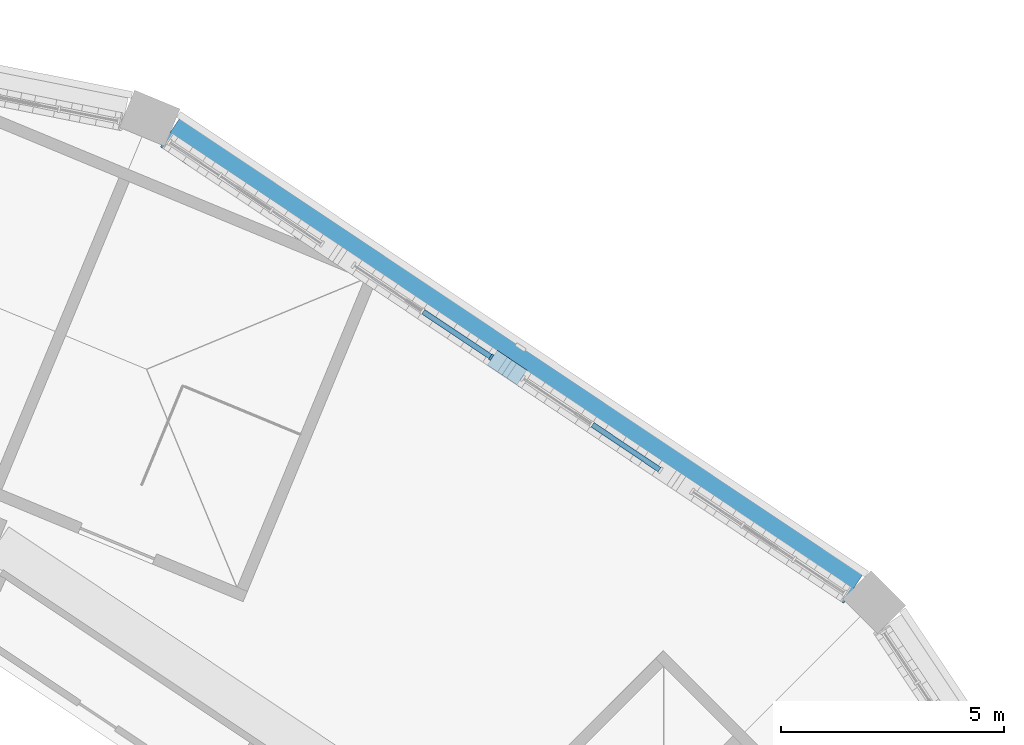
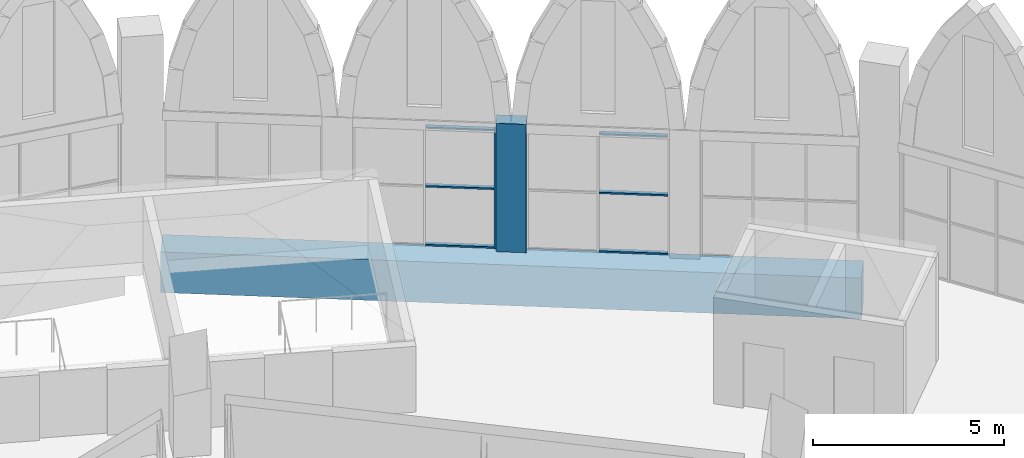
# One storey, part 47 of 130: 8 members, 1 beam, 2 elements without a shape of their own.
"""IFC4 building model written with IfcOpenShell, lengths in metres."""

from ifc_helpers import new_model, si_unit, direction, frame, origin, origin_2d, place, context, subcontext, project, spatial, rectangle, extrude, material, material_profile, profile_set, type_object, element, aggregate, save


model = new_model("IFC4")

# Units and contexts
model_context = context("Model", 3, precision=1e-05, world=origin(), true_north=direction((0.0, 1.0)))
body_context = subcontext(model_context, "Body", "Model", "MODEL_VIEW")
ifc_project = project(units=[si_unit("LENGTHUNIT", "METRE"), si_unit("AREAUNIT", "SQUARE_METRE"), si_unit("VOLUMEUNIT", "CUBIC_METRE"), si_unit("PLANEANGLEUNIT", "RADIAN"), si_unit("MASSUNIT", "GRAM", prefix="KILO")], contexts=[model_context])

# Site, building, storey
site_placement = place(None, origin())
site = spatial("IfcSite", under=ifc_project, at=site_placement, CompositionType="ELEMENT")
building_placement = place(site_placement, origin())
building = spatial("IfcBuilding", under=site, at=building_placement, Name="Ogive Plaza Stadium", CompositionType="ELEMENT")
storey_placement = place(building_placement, frame((0.0, 0.0, 22.5)))
storey = spatial("IfcBuildingStorey", under=building, at=storey_placement, Name="L05", CompositionType="ELEMENT", Elevation=22.5)

# Curtain wall, members
ifc_material_1 = material(Name="Bronze-anodised aluminium with laminated glass", Category="aluminium")
curtain_wall_type = type_object("IfcCurtainWallType", Name="Lancet curtain wall", PredefinedType="NOTDEFINED", material=ifc_material_1)
curtain_wall_1_placement = place(storey_placement, origin())
curtain_wall_1 = element("IfcCurtainWall", 1, at=curtain_wall_1_placement, inside=storey, type_object=curtain_wall_type, Name="CURTAIN WALL B38 L05", PredefinedType="NOTDEFINED")
ifc_material_2 = material(Name="Bronze-anodised aluminium", Category="aluminium")
ifc_material_profile_1 = material_profile(ifc_material_2, rectangle(XDim=0.14990234375, YDim=0.050048828125, at=origin_2d()), Name="AL 150x50")
ifc_profile_set_1 = profile_set([ifc_material_profile_1], Name="Bronze-anodised aluminium")
member_type_1 = type_object("IfcMemberType", Name="Curtain wall mullion 50x150", PredefinedType="MULLION", material=ifc_profile_set_1)
member_1_placement = place(storey_placement, frame((60.7802734375, 93.344482421875, 0.0), z_axis=(0.0, 0.0, 1.0), x_axis=(0.555570233237, 0.831469612157, 0.0)))
member_1 = element("IfcMember", 2, at=member_1_placement, type_object=member_type_1, Name="CW-B38-L05.2 mullion 3", PredefinedType="MULLION", context=body_context, shape_type="SweptSolid", body=[
    extrude(rectangle(XDim=0.14990234375, YDim=0.050048828125, at=origin_2d()), origin(), (0.0, 0.0, 1.0), 3.800048828125),
])
ifc_material_3 = material(Name="Bronze-anodised aluminium", Category="aluminium")
ifc_material_profile_2 = material_profile(ifc_material_3, rectangle(XDim=0.1201171875, YDim=0.050048828125, at=origin_2d()), Name="AL 120x50")
ifc_profile_set_2 = profile_set([ifc_material_profile_2], Name="Bronze-anodised aluminium")
member_type_2 = type_object("IfcMemberType", Name="Curtain wall transom 50x120", PredefinedType="USERDEFINED", material=ifc_profile_set_2)
member_2_placement = place(storey_placement, frame((59.260009765625, 94.3603515625, 0.02490234375), z_axis=(0.831466685303, -0.555574613559, 0.0), x_axis=(0.555574613559, 0.831466685303, 0.0)))
member_2 = element("IfcMember", 3, at=member_2_placement, type_object=member_type_2, Name="CW-B38-L05.2 transom 2.1", ObjectType="TRANSOM", PredefinedType="USERDEFINED", context=body_context, shape_type="SweptSolid", body=[
    extrude(rectangle(XDim=0.1201171875, YDim=0.050048828125, at=origin_2d()), origin(), (0.0, 0.0, 1.0), 1.803466796875),
])
member_3_placement = place(storey_placement, frame((59.260009765625, 94.3603515625, 1.89990234375), z_axis=(0.831466685303, -0.555574613559, 0.0), x_axis=(0.555574613559, 0.831466685303, 0.0)))
member_3 = element("IfcMember", 4, at=member_3_placement, type_object=member_type_2, Name="CW-B38-L05.2 transom 2.2", ObjectType="TRANSOM", PredefinedType="USERDEFINED", context=body_context, shape_type="SweptSolid", body=[
    extrude(rectangle(XDim=0.1201171875, YDim=0.050048828125, at=origin_2d()), origin(), (0.0, 0.0, 1.0), 1.803466796875),
])
member_4_placement = place(storey_placement, frame((59.260009765625, 94.3603515625, 3.77490234375), z_axis=(0.831466685303, -0.555574613559, 0.0), x_axis=(0.555574613559, 0.831466685303, 0.0)))
member_4 = element("IfcMember", 5, at=member_4_placement, type_object=member_type_2, Name="CW-B38-L05.2 transom 2.3", ObjectType="TRANSOM", PredefinedType="USERDEFINED", context=body_context, shape_type="SweptSolid", body=[
    extrude(rectangle(XDim=0.1201171875, YDim=0.050048828125, at=origin_2d()), origin(), (0.0, 0.0, 1.0), 1.803466796875),
])
aggregate(curtain_wall_1, [member_1, member_2, member_3, member_4])

curtain_wall_2_placement = place(storey_placement, origin())
curtain_wall_2 = element("IfcCurtainWall", 6, at=curtain_wall_2_placement, inside=storey, type_object=curtain_wall_type, Name="CURTAIN WALL B38 L05", PredefinedType="NOTDEFINED")
member_5_placement = place(storey_placement, frame((63.049072265625, 91.82861328125, 0.02490234375), z_axis=(0.831466685303, -0.555574613559, 0.0), x_axis=(0.555574613559, 0.831466685303, 0.0)))
member_5 = element("IfcMember", 7, at=member_5_placement, type_object=member_type_2, Name="CW-B38-L05.3 transom 2.1", ObjectType="TRANSOM", PredefinedType="USERDEFINED", context=body_context, shape_type="SweptSolid", body=[
    extrude(rectangle(XDim=0.1201171875, YDim=0.050048828125, at=origin_2d()), origin(), (0.0, 0.0, 1.0), 1.803466796875),
])
member_6_placement = place(storey_placement, frame((63.049072265625, 91.82861328125, 1.89990234375), z_axis=(0.831466685303, -0.555574613559, 0.0), x_axis=(0.555574613559, 0.831466685303, 0.0)))
member_6 = element("IfcMember", 8, at=member_6_placement, type_object=member_type_2, Name="CW-B38-L05.3 transom 2.2", ObjectType="TRANSOM", PredefinedType="USERDEFINED", context=body_context, shape_type="SweptSolid", body=[
    extrude(rectangle(XDim=0.1201171875, YDim=0.050048828125, at=origin_2d()), origin(), (0.0, 0.0, 1.0), 1.803466796875),
])
member_7_placement = place(storey_placement, frame((63.049072265625, 91.82861328125, 3.77490234375), z_axis=(0.831466685303, -0.555574613559, 0.0), x_axis=(0.555574613559, 0.831466685303, 0.0)))
member_7 = element("IfcMember", 9, at=member_7_placement, type_object=member_type_2, Name="CW-B38-L05.3 transom 2.3", ObjectType="TRANSOM", PredefinedType="USERDEFINED", context=body_context, shape_type="SweptSolid", body=[
    extrude(rectangle(XDim=0.1201171875, YDim=0.050048828125, at=origin_2d()), origin(), (0.0, 0.0, 1.0), 1.803466796875),
])
aggregate(curtain_wall_2, [member_5, member_6, member_7])

# Member
ifc_material_4 = material(Name="Concrete C45/55 precast", Category="concrete")
ifc_material_profile_3 = material_profile(ifc_material_4, rectangle(XDim=0.39990234375, YDim=0.800048828125, at=origin_2d()), Name="RC 400x800")
ifc_profile_set_3 = profile_set([ifc_material_profile_3], Name="Concrete C45/55 precast")
member_type_3 = type_object("IfcMemberType", Name="Precast colonette 800x400", PredefinedType="POST", material=ifc_profile_set_3)
member_8_placement = place(storey_placement, frame((61.133544921875, 93.1083984375, 0.0), z_axis=(0.0, 0.0, 1.0), x_axis=(0.55557023302, 0.831469612303, 0.0)))
element("IfcMember", 10, at=member_8_placement, inside=storey, type_object=member_type_3, Name="COLONETTE B38 2", PredefinedType="POST", context=body_context, shape_type="SweptSolid", body=[
    extrude(rectangle(XDim=0.39990234375, YDim=0.800048828125, at=origin_2d()), origin(), (0.0, 0.0, 1.0), 4.10009765625),
])

# Beam
ifc_material_5 = material(Name="Concrete C40/50", Category="concrete")
ifc_material_profile_4 = material_profile(ifc_material_5, rectangle(XDim=0.800048828125, YDim=1.300048828125, at=origin_2d()), Name="RC 800x1300")
ifc_profile_set_4 = profile_set([ifc_material_profile_4], Name="Concrete C40/50")
beam_type = type_object("IfcBeamType", Name="RC spandrel beam 800x1300", PredefinedType="SPANDREL", material=ifc_profile_set_4)
beam_placement = place(storey_placement, frame((53.600341796875, 98.38232421875, -1.06005859375), z_axis=(0.831477897484, -0.555557833169, 0.0), x_axis=(0.555557833169, 0.831477897484, 0.0)))
element("IfcBeam", 11, at=beam_placement, inside=storey, type_object=beam_type, Name="Ring beam F5 L05 B38", PredefinedType="SPANDREL", context=body_context, shape_type="SweptSolid", body=[
    extrude(rectangle(XDim=0.800048828125, YDim=1.300048828125, at=origin_2d()), origin(), (0.0, 0.0, 1.0), 18.387451171875),
])

save(model, "model.ifc")
